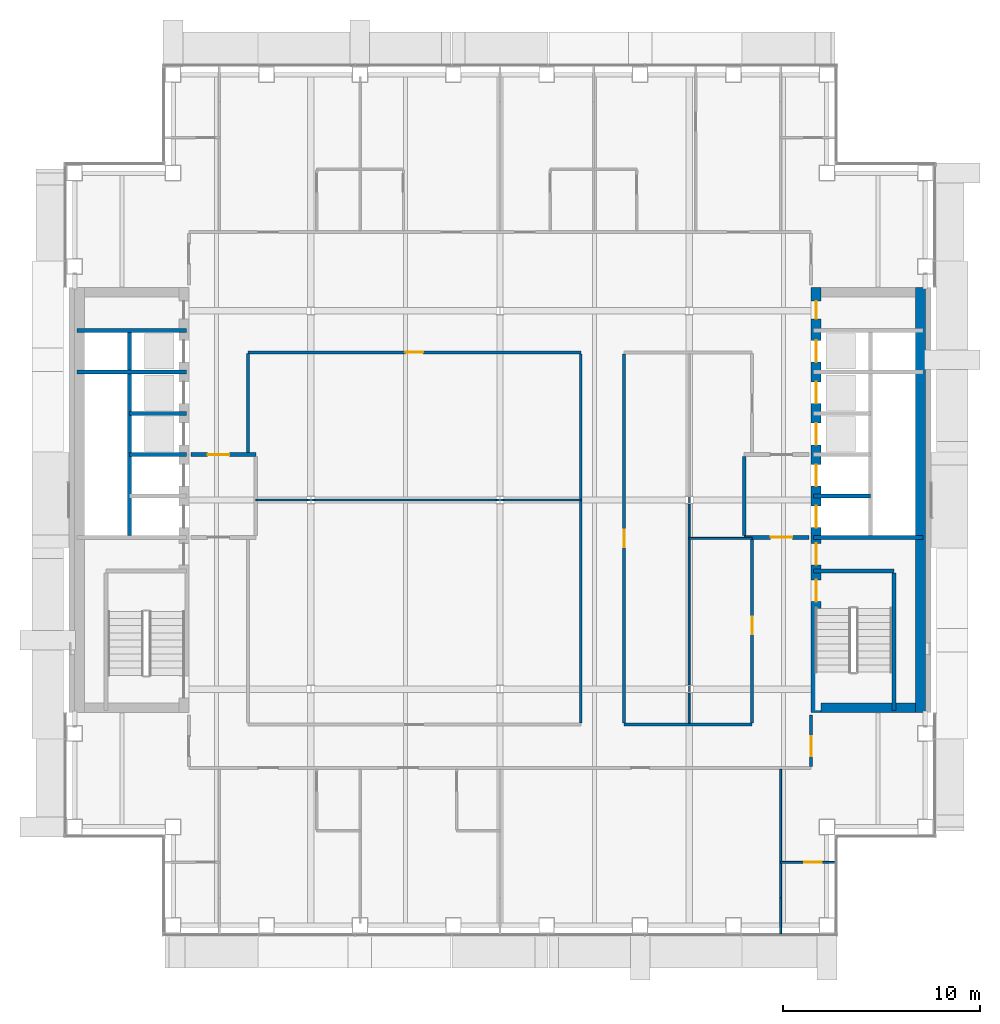
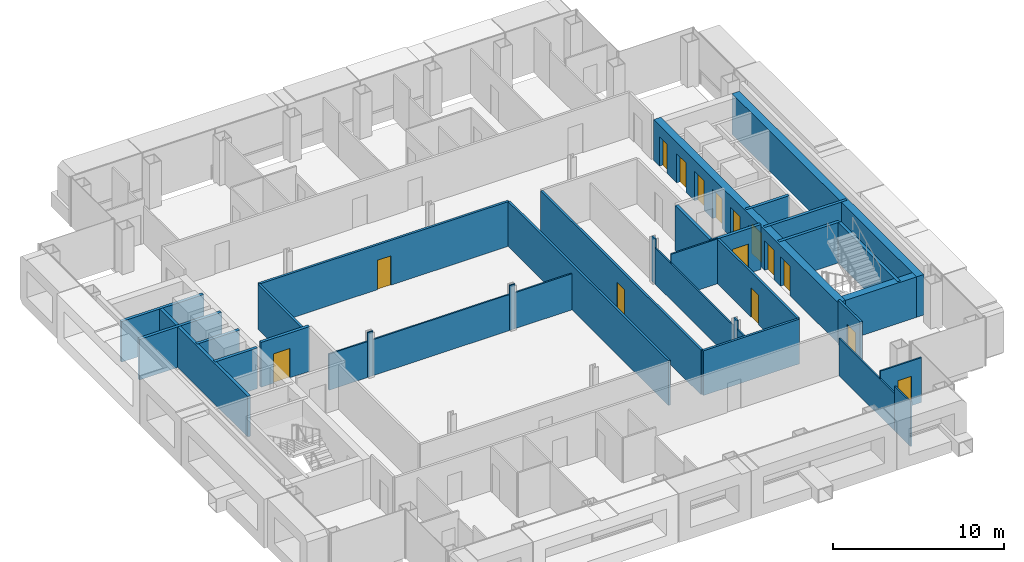
# One storey, part 13 of 21: 36 walls, 15 doors, 15 openings.
"""IFC4 building model written with IfcOpenShell, lengths in metres."""

from ifc_helpers import new_model, si_unit, direction, frame, frame_2d, origin, place, context, subcontext, project, spatial, rectangle, extrude, material, layer, layer_set, type_object, element, fill, save


model = new_model("IFC4")

# Units and contexts
model_context = context("Model", 3, precision=1e-05, world=origin(), true_north=direction((0.0, 1.0)))
body_context = subcontext(model_context, "Body", "Model", "MODEL_VIEW")
ifc_project = project(units=[si_unit("LENGTHUNIT", "METRE"), si_unit("AREAUNIT", "SQUARE_METRE"), si_unit("VOLUMEUNIT", "CUBIC_METRE"), si_unit("PLANEANGLEUNIT", "RADIAN"), si_unit("MASSUNIT", "GRAM", prefix="KILO")], contexts=[model_context])

# Site, building, storey
site_placement = place(None, origin())
site = spatial("IfcSite", under=ifc_project, at=site_placement, CompositionType="ELEMENT")
building_placement = place(site_placement, origin())
building = spatial("IfcBuilding", under=site, at=building_placement, Name="Cobrizo Arcos Hotel Tower", CompositionType="ELEMENT")
storey_placement = place(building_placement, frame((0.0, 0.0, 183.0)))
storey = spatial("IfcBuildingStorey", under=building, at=storey_placement, Name="L47", CompositionType="ELEMENT", Elevation=183.0)

# Wall
ifc_material_1 = material(Name="Gypsum board partition")
ifc_layer_1 = layer(ifc_material_1, 0.14990234375)
ifc_layer_set_1 = layer_set([ifc_layer_1], Name="Corridor wall EI 60 150")
wall_type_1 = type_object("IfcWallType", Name="Corridor wall EI 60 150", PredefinedType="PARTITIONING", material=ifc_layer_set_1)
wall_1_placement = place(storey_placement, frame((6.300048828125, -11.39990234375, 0.0), z_axis=(0.0, 0.0, 1.0), x_axis=(1.0, 0.0, 0.0)))
element("IfcWall", 1, at=wall_1_placement, inside=storey, type_object=wall_type_1, Name="Partition 007", PredefinedType="PARTITIONING", context=body_context, shape_type="SweptSolid", body=[
    extrude(rectangle(XDim=6.5, YDim=0.14990234375, at=frame_2d((3.25, 0.0))), origin(), (0.0, 0.0, 1.0), 3.199951171875),
])

# Wall, opening, door
wall_2_placement = place(storey_placement, frame((-12.800048828125, 7.5, 0.0), z_axis=(0.0, 0.0, 1.0), x_axis=(1.0, 0.0, 0.0)))
wall_2 = element("IfcWall", 2, at=wall_2_placement, inside=storey, type_object=wall_type_1, Name="Partition 030", PredefinedType="PARTITIONING", context=body_context, shape_type="SweptSolid", body=[
    extrude(rectangle(XDim=16.900146484375, YDim=0.14990234375, at=frame_2d((8.4501953125, 0.0))), origin(), (0.0, 0.0, 1.0), 3.199951171875),
])
opening_1_placement = place(wall_2_placement, frame((8.0, 0.0, 0.0)))
opening_1 = element("IfcOpeningElement", 3, at=opening_1_placement, cuts=wall_2, Name="Opening RD-06", PredefinedType="OPENING", context=body_context, shape_type="SweptSolid", body=[
    extrude(rectangle(XDim=0.89990234375, YDim=2.10009765625, at=frame_2d((0.449951171875, 1.050048828125))), frame((0.0, 0.0869140625, 0.0), z_axis=(0.0, -1.0, 0.0), x_axis=(1.0, 0.0, 0.0)), (0.0, 0.0, 1.0), 0.173828125),
])
ifc_material_2 = material(Name="Timber door leaf", Category="wood")
door_type_1 = type_object("IfcDoorType", Name="Room door FD30 900x2100", OperationType="SINGLE_SWING_LEFT", PredefinedType="DOOR", material=ifc_material_2)
door_1_placement = place(opening_1_placement, origin())
door_1 = element("IfcDoor", 4, at=door_1_placement, inside=storey, type_object=door_type_1, Name="Door RD-06", OperationType="SINGLE_SWING_RIGHT", OverallHeight=2.10009765625, OverallWidth=0.89990234375, PredefinedType="DOOR", context=body_context, shape_type="SweptSolid", body=[
    extrude(rectangle(XDim=0.89990234375, YDim=2.10009765625, at=frame_2d((0.449951171875, 1.050048828125))), frame((0.0, 0.02490234375, 0.0), z_axis=(0.0, -1.0, 0.0), x_axis=(1.0, 0.0, 0.0)), (0.0, 0.0, 1.0), 0.050048828125),
])
fill(opening_1, door_1)

# Walls
wall_3_placement = place(storey_placement, frame((-12.800048828125, 2.39990234375, 0.0), z_axis=(0.0, 0.0, 1.0), x_axis=(0.0, 1.0, 0.0)))
element("IfcWall", 5, at=wall_3_placement, inside=storey, type_object=wall_type_1, Name="Partition 050", PredefinedType="PARTITIONING", context=body_context, shape_type="SweptSolid", body=[
    extrude(rectangle(XDim=5.050048828125, YDim=0.14990234375, at=frame_2d((2.52490234375, 0.0))), origin(), (0.0, 0.0, 1.0), 3.199951171875),
])
wall_4_placement = place(storey_placement, frame((4.10009765625, -11.324951171875, 0.0), z_axis=(0.0, 0.0, 1.0), x_axis=(0.0, 1.0, 0.0)))
element("IfcWall", 6, at=wall_4_placement, inside=storey, type_object=wall_type_1, Name="Partition 064", PredefinedType="PARTITIONING", context=body_context, shape_type="SweptSolid", body=[
    extrude(rectangle(XDim=18.75, YDim=0.14990234375, at=frame_2d((9.375, 0.0))), origin(), (0.0, 0.0, 1.0), 3.199951171875),
])

# Wall, opening, door
wall_5_placement = place(storey_placement, frame((6.300048828125, -11.324951171875, 0.0), z_axis=(0.0, 0.0, 1.0), x_axis=(0.0, 1.0, 0.0)))
wall_5 = element("IfcWall", 7, at=wall_5_placement, inside=storey, type_object=wall_type_1, Name="Partition 068", PredefinedType="PARTITIONING", context=body_context, shape_type="SweptSolid", body=[
    extrude(rectangle(XDim=18.75, YDim=0.14990234375, at=frame_2d((9.375, 0.0))), origin(), (0.0, 0.0, 1.0), 3.199951171875),
])
opening_2_placement = place(wall_5_placement, frame((8.925048828125, 0.0, 0.0)))
opening_2 = element("IfcOpeningElement", 8, at=opening_2_placement, cuts=wall_5, Name="Opening RD-05", PredefinedType="OPENING", context=body_context, shape_type="SweptSolid", body=[
    extrude(rectangle(XDim=0.89990234375, YDim=2.10009765625, at=frame_2d((0.449951171875, 1.050048828125))), frame((0.0, 0.0869140625, 0.0), z_axis=(0.0, -1.0, 0.0), x_axis=(1.0, 0.0, 0.0)), (0.0, 0.0, 1.0), 0.173828125),
])
door_2_placement = place(opening_2_placement, origin())
door_2 = element("IfcDoor", 9, at=door_2_placement, inside=storey, type_object=door_type_1, Name="Door RD-05", OperationType="SINGLE_SWING_RIGHT", OverallHeight=2.10009765625, OverallWidth=0.89990234375, PredefinedType="DOOR", context=body_context, shape_type="SweptSolid", body=[
    extrude(rectangle(XDim=0.89990234375, YDim=2.10009765625, at=frame_2d((0.449951171875, 1.050048828125))), frame((0.0, 0.02490234375, 0.0), z_axis=(0.0, -1.0, 0.0), x_axis=(1.0, 0.0, 0.0)), (0.0, 0.0, 1.0), 0.050048828125),
])
fill(opening_2, door_2)

wall_6_placement = place(storey_placement, frame((12.800048828125, -11.324951171875, 0.0), z_axis=(0.0, 0.0, 1.0), x_axis=(0.0, 1.0, 0.0)))
wall_6 = element("IfcWall", 10, at=wall_6_placement, inside=storey, type_object=wall_type_1, Name="Partition 077", PredefinedType="PARTITIONING", context=body_context, shape_type="SweptSolid", body=[
    extrude(rectangle(XDim=9.324951171875, YDim=0.14990234375, at=frame_2d((4.66259765625, 0.0))), origin(), (0.0, 0.0, 1.0), 3.199951171875),
])
opening_3_placement = place(wall_6_placement, frame((4.5, 0.0, 0.0)))
opening_3 = element("IfcOpeningElement", 11, at=opening_3_placement, cuts=wall_6, Name="Opening ED-11", PredefinedType="OPENING", context=body_context, shape_type="SweptSolid", body=[
    extrude(rectangle(XDim=0.89990234375, YDim=2.10009765625, at=frame_2d((0.449951171875, 1.050048828125))), frame((0.0, 0.0869140625, 0.0), z_axis=(0.0, -1.0, 0.0), x_axis=(1.0, 0.0, 0.0)), (0.0, 0.0, 1.0), 0.173828125),
])
door_type_2 = type_object("IfcDoorType", Name="En-suite door 900x2100", OperationType="SINGLE_SWING_LEFT", PredefinedType="DOOR", material=ifc_material_2)
door_3_placement = place(opening_3_placement, origin())
door_3 = element("IfcDoor", 12, at=door_3_placement, inside=storey, type_object=door_type_2, Name="Door ED-11", OperationType="SINGLE_SWING_LEFT", OverallHeight=2.10009765625, OverallWidth=0.89990234375, PredefinedType="DOOR", context=body_context, shape_type="SweptSolid", body=[
    extrude(rectangle(XDim=0.89990234375, YDim=2.10009765625, at=frame_2d((0.449951171875, 1.050048828125))), frame((0.0, 0.02490234375, 0.0), z_axis=(0.0, -1.0, 0.0), x_axis=(1.0, 0.0, 0.0)), (0.0, 0.0, 1.0), 0.050048828125),
])
fill(opening_3, door_3)

wall_7_placement = place(storey_placement, frame((15.800048828125, -13.52490234375, 0.0), z_axis=(0.0, 0.0, 1.0), x_axis=(0.0, 1.0, 0.0)))
wall_7 = element("IfcWall", 13, at=wall_7_placement, inside=storey, type_object=wall_type_1, Name="Partition 083", PredefinedType="PARTITIONING", context=body_context, shape_type="SweptSolid", body=[
    extrude(rectangle(XDim=2.60498046875, YDim=0.14990234375, at=frame_2d((1.302490234375, 0.0))), origin(), (0.0, 0.0, 1.0), 3.199951171875),
])
opening_4_placement = place(wall_7_placement, frame((0.52490234375, 0.0, 0.0)))
opening_4 = element("IfcOpeningElement", 14, at=opening_4_placement, cuts=wall_7, Name="Opening GD-09", PredefinedType="OPENING", context=body_context, shape_type="SweptSolid", body=[
    extrude(rectangle(XDim=1.0, YDim=2.10009765625, at=frame_2d((0.5, 1.050048828125))), frame((0.0, 0.0869140625, 0.0), z_axis=(0.0, -1.0, 0.0), x_axis=(1.0, 0.0, 0.0)), (0.0, 0.0, 1.0), 0.173828125),
])
door_type_3 = type_object("IfcDoorType", Name="Guest room door FD30S 1000x2100", OperationType="SINGLE_SWING_LEFT", PredefinedType="DOOR", material=ifc_material_2)
door_4_placement = place(opening_4_placement, origin())
door_4 = element("IfcDoor", 15, at=door_4_placement, inside=storey, type_object=door_type_3, Name="Door GD-09", OperationType="SINGLE_SWING_LEFT", OverallHeight=2.10009765625, OverallWidth=1.0, PredefinedType="DOOR", context=body_context, shape_type="SweptSolid", body=[
    extrude(rectangle(XDim=1.0, YDim=2.10009765625, at=frame_2d((0.5, 1.050048828125))), frame((0.0, 0.02490234375, 0.0), z_axis=(0.0, -1.0, 0.0), x_axis=(1.0, 0.0, 0.0)), (0.0, 0.0, 1.0), 0.050048828125),
])
fill(opening_4, door_4)

ifc_layer_2 = layer(ifc_material_1, 0.10009765625)
ifc_layer_set_2 = layer_set([ifc_layer_2], Name="Partition EI 30 100")
wall_type_2 = type_object("IfcWallType", Name="Partition EI 30 100", PredefinedType="PARTITIONING", material=ifc_layer_set_2)
wall_8_placement = place(storey_placement, frame((14.25, -18.39990234375, 0.0), z_axis=(0.0, 0.0, 1.0), x_axis=(1.0, 0.0, 0.0)))
wall_8 = element("IfcWall", 16, at=wall_8_placement, inside=storey, type_object=wall_type_2, Name="Partition 002", PredefinedType="PARTITIONING", context=body_context, shape_type="SweptSolid", body=[
    extrude(rectangle(XDim=2.780029296875, YDim=0.10009765625, at=frame_2d((1.39013671875, 0.0))), origin(), (0.0, 0.0, 1.0), 3.199951171875),
])
opening_5_placement = place(wall_8_placement, frame((1.18896484375, 0.0, 0.0)))
opening_5 = element("IfcOpeningElement", 17, at=opening_5_placement, cuts=wall_8, Name="Opening ED-09", PredefinedType="OPENING", context=body_context, shape_type="SweptSolid", body=[
    extrude(rectangle(XDim=0.89990234375, YDim=2.10009765625, at=frame_2d((0.449951171875, 1.050048828125))), frame((0.0, 0.06201171875, 0.0), z_axis=(0.0, -1.0, 0.0), x_axis=(1.0, 0.0, 0.0)), (0.0, 0.0, 1.0), 0.1240234375),
])
door_5_placement = place(opening_5_placement, origin())
door_5 = element("IfcDoor", 18, at=door_5_placement, inside=storey, type_object=door_type_2, Name="Door ED-09", OperationType="SINGLE_SWING_RIGHT", OverallHeight=2.10009765625, OverallWidth=0.89990234375, PredefinedType="DOOR", context=body_context, shape_type="SweptSolid", body=[
    extrude(rectangle(XDim=0.89990234375, YDim=2.10009765625, at=frame_2d((0.449951171875, 1.050048828125))), frame((0.0, 0.02490234375, 0.0), z_axis=(0.0, -1.0, 0.0), x_axis=(1.0, 0.0, 0.0)), (0.0, 0.0, 1.0), 0.050048828125),
])
fill(opening_5, door_5)

# Walls
wall_9_placement = place(storey_placement, frame((9.60009765625, -1.949951171875, 0.0), z_axis=(0.0, 0.0, 1.0), x_axis=(1.0, 0.0, 0.0)))
element("IfcWall", 19, at=wall_9_placement, inside=storey, type_object=wall_type_2, Name="Partition 010", PredefinedType="PARTITIONING", context=body_context, shape_type="SweptSolid", body=[
    extrude(rectangle(XDim=3.199951171875, YDim=0.10009765625, at=frame_2d((1.60009765625, 0.0))), origin(), (0.0, 0.0, 1.0), 3.199951171875),
])
wall_10_placement = place(storey_placement, frame((-12.39990234375, 0.0, 0.0), z_axis=(0.0, 0.0, 1.0), x_axis=(1.0, 0.0, 0.0)))
element("IfcWall", 20, at=wall_10_placement, inside=storey, type_object=wall_type_2, Name="Partition 015", PredefinedType="PARTITIONING", context=body_context, shape_type="SweptSolid", body=[
    extrude(rectangle(XDim=2.61279296875, YDim=0.10009765625, at=frame_2d((1.306396484375, 0.0))), origin(), (0.0, 0.0, 1.0), 2.577880859375),
])
wall_11_placement = place(storey_placement, frame((-9.787109375, 0.0, 0.0), z_axis=(0.0, 0.0, 1.0), x_axis=(1.0, 0.0, 0.0)))
element("IfcWall", 21, at=wall_11_placement, inside=storey, type_object=wall_type_2, Name="Partition 016", PredefinedType="PARTITIONING", context=body_context, shape_type="SweptSolid", body=[
    extrude(rectangle(XDim=0.3740234375, YDim=0.10009765625, at=frame_2d((0.18701171875, 0.0))), origin(), (0.0, 0.0, 1.0), 3.199951171875),
])
wall_12_placement = place(storey_placement, frame((-9.4130859375, 0.0, 0.0), z_axis=(0.0, 0.0, 1.0), x_axis=(1.0, 0.0, 0.0)))
element("IfcWall", 22, at=wall_12_placement, inside=storey, type_object=wall_type_2, Name="Partition 017", PredefinedType="PARTITIONING", context=body_context, shape_type="SweptSolid", body=[
    extrude(rectangle(XDim=9.22607421875, YDim=0.10009765625, at=frame_2d((4.613037109375, 0.0))), origin(), (0.0, 0.0, 1.0), 2.577880859375),
])
wall_13_placement = place(storey_placement, frame((-0.18701171875, 0.0, 0.0), z_axis=(0.0, 0.0, 1.0), x_axis=(1.0, 0.0, 0.0)))
element("IfcWall", 23, at=wall_13_placement, inside=storey, type_object=wall_type_2, Name="Partition 018", PredefinedType="PARTITIONING", context=body_context, shape_type="SweptSolid", body=[
    extrude(rectangle(XDim=0.3740234375, YDim=0.10009765625, at=frame_2d((0.18701171875, 0.0))), origin(), (0.0, 0.0, 1.0), 3.199951171875),
])
wall_14_placement = place(storey_placement, frame((0.18701171875, 0.0, 0.0), z_axis=(0.0, 0.0, 1.0), x_axis=(1.0, 0.0, 0.0)))
element("IfcWall", 24, at=wall_14_placement, inside=storey, type_object=wall_type_2, Name="Partition 019", PredefinedType="PARTITIONING", context=body_context, shape_type="SweptSolid", body=[
    extrude(rectangle(XDim=3.9130859375, YDim=0.10009765625, at=frame_2d((1.95654296875, 0.0))), origin(), (0.0, 0.0, 1.0), 2.577880859375),
])
wall_15_placement = place(storey_placement, frame((9.60009765625, -11.324951171875, 0.0), z_axis=(0.0, 0.0, 1.0), x_axis=(0.0, 1.0, 0.0)))
element("IfcWall", 25, at=wall_15_placement, inside=storey, type_object=wall_type_2, Name="Partition 070", PredefinedType="PARTITIONING", context=body_context, shape_type="SweptSolid", body=[
    extrude(rectangle(XDim=1.537841796875, YDim=0.10009765625, at=frame_2d((0.76904296875, 0.0))), origin(), (0.0, 0.0, 1.0), 2.577880859375),
])
wall_16_placement = place(storey_placement, frame((9.60009765625, -9.787109375, 0.0), z_axis=(0.0, 0.0, 1.0), x_axis=(0.0, 1.0, 0.0)))
element("IfcWall", 26, at=wall_16_placement, inside=storey, type_object=wall_type_2, Name="Partition 071", PredefinedType="PARTITIONING", context=body_context, shape_type="SweptSolid", body=[
    extrude(rectangle(XDim=0.3740234375, YDim=0.10009765625, at=frame_2d((0.18701171875, 0.0))), origin(), (0.0, 0.0, 1.0), 3.199951171875),
])
wall_17_placement = place(storey_placement, frame((9.60009765625, -9.4130859375, 0.0), z_axis=(0.0, 0.0, 1.0), x_axis=(0.0, 1.0, 0.0)))
element("IfcWall", 27, at=wall_17_placement, inside=storey, type_object=wall_type_2, Name="Partition 072", PredefinedType="PARTITIONING", context=body_context, shape_type="SweptSolid", body=[
    extrude(rectangle(XDim=9.22607421875, YDim=0.10009765625, at=frame_2d((4.613037109375, 0.0))), origin(), (0.0, 0.0, 1.0), 2.577880859375),
])
wall_18_placement = place(storey_placement, frame((9.60009765625, -0.18701171875, 0.0), z_axis=(0.0, 0.0, 1.0), x_axis=(0.0, 1.0, 0.0)))
element("IfcWall", 28, at=wall_18_placement, inside=storey, type_object=wall_type_2, Name="Partition 073", PredefinedType="PARTITIONING", context=body_context, shape_type="SweptSolid", body=[
    extrude(rectangle(XDim=0.3740234375, YDim=0.10009765625, at=frame_2d((0.18701171875, 0.0))), origin(), (0.0, 0.0, 1.0), 3.199951171875),
])
wall_19_placement = place(storey_placement, frame((14.25, -22.030029296875, 0.0), z_axis=(0.0, 0.0, 1.0), x_axis=(0.0, 1.0, 0.0)))
element("IfcWall", 29, at=wall_19_placement, inside=storey, type_object=wall_type_2, Name="Partition 079", PredefinedType="PARTITIONING", context=body_context, shape_type="SweptSolid", body=[
    extrude(rectangle(XDim=1.83056640625, YDim=0.10009765625, at=frame_2d((0.915283203125, 0.0))), origin(), (0.0, 0.0, 1.0), 3.199951171875),
])
wall_20_placement = place(storey_placement, frame((14.25, -20.199951171875, 0.0), z_axis=(0.0, 0.0, 1.0), x_axis=(0.0, 1.0, 0.0)))
element("IfcWall", 30, at=wall_20_placement, inside=storey, type_object=wall_type_2, Name="Partition 080", PredefinedType="PARTITIONING", context=body_context, shape_type="SweptSolid", body=[
    extrude(rectangle(XDim=6.52490234375, YDim=0.10009765625, at=frame_2d((3.262451171875, 0.0))), origin(), (0.0, 0.0, 1.0), 2.6669921875),
])

# Wall, openings, doors
ifc_material_3 = material(Name="Concrete f'c 50 MPa", Category="concrete")
ifc_layer_3 = layer(ifc_material_3, 0.5)
ifc_layer_set_3 = layer_set([ifc_layer_3], Name="RC core wall 500 f'c 50")
wall_type_3 = type_object("IfcWallType", Name="RC core wall 500 f'c 50", PredefinedType="SHEAR", material=ifc_layer_set_3)
wall_21_placement = place(storey_placement, frame((16.050048828125, -10.800048828125, 0.0), z_axis=(0.0, 0.0, 1.0), x_axis=(0.0, 1.0, 0.0)))
wall_21 = element("IfcWall", 31, at=wall_21_placement, inside=storey, type_object=wall_type_3, Name="Core wall CW3, east core, inner face, L47", PredefinedType="SHEAR", context=body_context, shape_type="SweptSolid", body=[
    extrude(rectangle(XDim=21.60009765625, YDim=0.5, at=frame_2d((10.800048828125, 0.0))), origin(), (0.0, 0.0, 1.0), 2.89990234375),
])
opening_6_placement = place(wall_21_placement, frame((9.39990234375, 0.0, 0.0)))
opening_6 = element("IfcOpeningElement", 32, at=opening_6_placement, cuts=wall_21, Name="Opening LD-06", PredefinedType="OPENING", context=body_context, shape_type="SweptSolid", body=[
    extrude(rectangle(XDim=1.10009765625, YDim=2.10009765625, at=frame_2d((0.550048828125, 1.050048828125))), frame((0.0, 0.261962890625, 0.0), z_axis=(0.0, -1.0, 0.0), x_axis=(1.0, 0.0, 0.0)), (0.0, 0.0, 1.0), 0.52392578125),
])
opening_7_placement = place(wall_21_placement, frame((11.5, 0.0, 0.0)))
opening_7 = element("IfcOpeningElement", 33, at=opening_7_placement, cuts=wall_21, Name="Opening LD-07", PredefinedType="OPENING", context=body_context, shape_type="SweptSolid", body=[
    extrude(rectangle(XDim=1.10009765625, YDim=2.10009765625, at=frame_2d((0.550048828125, 1.050048828125))), frame((0.0, 0.261962890625, 0.0), z_axis=(0.0, -1.0, 0.0), x_axis=(1.0, 0.0, 0.0)), (0.0, 0.0, 1.0), 0.52392578125),
])
opening_8_placement = place(wall_21_placement, frame((13.60009765625, 0.0, 0.0)))
opening_8 = element("IfcOpeningElement", 34, at=opening_8_placement, cuts=wall_21, Name="Opening LD-08", PredefinedType="OPENING", context=body_context, shape_type="SweptSolid", body=[
    extrude(rectangle(XDim=1.10009765625, YDim=2.10009765625, at=frame_2d((0.550048828125, 1.050048828125))), frame((0.0, 0.261962890625, 0.0), z_axis=(0.0, -1.0, 0.0), x_axis=(1.0, 0.0, 0.0)), (0.0, 0.0, 1.0), 0.52392578125),
])
opening_9_placement = place(wall_21_placement, frame((15.699951171875, 0.0, 0.0)))
opening_9 = element("IfcOpeningElement", 35, at=opening_9_placement, cuts=wall_21, Name="Opening LD-09", PredefinedType="OPENING", context=body_context, shape_type="SweptSolid", body=[
    extrude(rectangle(XDim=1.10009765625, YDim=2.10009765625, at=frame_2d((0.550048828125, 1.050048828125))), frame((0.0, 0.261962890625, 0.0), z_axis=(0.0, -1.0, 0.0), x_axis=(1.0, 0.0, 0.0)), (0.0, 0.0, 1.0), 0.52392578125),
])
opening_10_placement = place(wall_21_placement, frame((17.800048828125, 0.0, 0.0)))
opening_10 = element("IfcOpeningElement", 36, at=opening_10_placement, cuts=wall_21, Name="Opening LD-10", PredefinedType="OPENING", context=body_context, shape_type="SweptSolid", body=[
    extrude(rectangle(XDim=1.10009765625, YDim=2.10009765625, at=frame_2d((0.550048828125, 1.050048828125))), frame((0.0, 0.261962890625, 0.0), z_axis=(0.0, -1.0, 0.0), x_axis=(1.0, 0.0, 0.0)), (0.0, 0.0, 1.0), 0.52392578125),
])
opening_11_placement = place(wall_21_placement, frame((5.64208984375, 0.0, 0.0)))
opening_11 = element("IfcOpeningElement", 37, at=opening_11_placement, cuts=wall_21, Name="Opening SD-02", PredefinedType="OPENING", context=body_context, shape_type="SweptSolid", body=[
    extrude(rectangle(XDim=1.10009765625, YDim=2.10009765625, at=frame_2d((0.550048828125, 1.050048828125))), frame((0.0, 0.261962890625, 0.0), z_axis=(0.0, -1.0, 0.0), x_axis=(1.0, 0.0, 0.0)), (0.0, 0.0, 1.0), 0.52392578125),
])
opening_12_placement = place(wall_21_placement, frame((7.5, 0.0, 0.0)))
opening_12 = element("IfcOpeningElement", 38, at=opening_12_placement, cuts=wall_21, Name="Opening FD-04", PredefinedType="OPENING", context=body_context, shape_type="SweptSolid", body=[
    extrude(rectangle(XDim=1.10009765625, YDim=2.10009765625, at=frame_2d((0.550048828125, 1.050048828125))), frame((0.0, 0.261962890625, 0.0), z_axis=(0.0, -1.0, 0.0), x_axis=(1.0, 0.0, 0.0)), (0.0, 0.0, 1.0), 0.52392578125),
])
opening_13_placement = place(wall_21_placement, frame((20.0, 0.0, 0.0)))
opening_13 = element("IfcOpeningElement", 39, at=opening_13_placement, cuts=wall_21, Name="Opening RD-02", PredefinedType="OPENING", context=body_context, shape_type="SweptSolid", body=[
    extrude(rectangle(XDim=0.89990234375, YDim=2.10009765625, at=frame_2d((0.449951171875, 1.050048828125))), frame((0.0, 0.261962890625, 0.0), z_axis=(0.0, -1.0, 0.0), x_axis=(1.0, 0.0, 0.0)), (0.0, 0.0, 1.0), 0.52392578125),
])
ifc_material_4 = material(Name="Steel door leaf", Category="steel")
door_type_4 = type_object("IfcDoorType", Name="Fire door FD60 1100x2100", OperationType="SINGLE_SWING_LEFT", PredefinedType="DOOR", material=ifc_material_4)
door_6_placement = place(opening_12_placement, origin())
door_6 = element("IfcDoor", 40, at=door_6_placement, inside=storey, type_object=door_type_4, Name="Door FD-04", OperationType="SINGLE_SWING_RIGHT", OverallHeight=2.10009765625, OverallWidth=1.10009765625, PredefinedType="DOOR", context=body_context, shape_type="SweptSolid", body=[
    extrude(rectangle(XDim=1.10009765625, YDim=2.10009765625, at=frame_2d((0.550048828125, 1.050048828125))), frame((0.0, 0.02490234375, 0.0), z_axis=(0.0, -1.0, 0.0), x_axis=(1.0, 0.0, 0.0)), (0.0, 0.0, 1.0), 0.050048828125),
])
fill(opening_12, door_6)
door_type_5 = type_object("IfcDoorType", Name="Lift landing door 1100x2100", OperationType="SLIDING_TO_LEFT", PredefinedType="DOOR", material=ifc_material_4)
door_7_placement = place(opening_6_placement, origin())
door_7 = element("IfcDoor", 41, at=door_7_placement, inside=storey, type_object=door_type_5, Name="Lift landing door LD-06", OperationType="SLIDING_TO_LEFT", OverallHeight=2.10009765625, OverallWidth=1.10009765625, PredefinedType="DOOR", context=body_context, shape_type="SweptSolid", body=[
    extrude(rectangle(XDim=1.10009765625, YDim=2.10009765625, at=frame_2d((0.550048828125, 1.050048828125))), frame((0.0, 0.02490234375, 0.0), z_axis=(0.0, -1.0, 0.0), x_axis=(1.0, 0.0, 0.0)), (0.0, 0.0, 1.0), 0.050048828125),
])
fill(opening_6, door_7)
door_8_placement = place(opening_7_placement, origin())
door_8 = element("IfcDoor", 42, at=door_8_placement, inside=storey, type_object=door_type_5, Name="Lift landing door LD-07", OperationType="SLIDING_TO_LEFT", OverallHeight=2.10009765625, OverallWidth=1.10009765625, PredefinedType="DOOR", context=body_context, shape_type="SweptSolid", body=[
    extrude(rectangle(XDim=1.10009765625, YDim=2.10009765625, at=frame_2d((0.550048828125, 1.050048828125))), frame((0.0, 0.02490234375, 0.0), z_axis=(0.0, -1.0, 0.0), x_axis=(1.0, 0.0, 0.0)), (0.0, 0.0, 1.0), 0.050048828125),
])
fill(opening_7, door_8)
door_9_placement = place(opening_8_placement, origin())
door_9 = element("IfcDoor", 43, at=door_9_placement, inside=storey, type_object=door_type_5, Name="Lift landing door LD-08", OperationType="SLIDING_TO_LEFT", OverallHeight=2.10009765625, OverallWidth=1.10009765625, PredefinedType="DOOR", context=body_context, shape_type="SweptSolid", body=[
    extrude(rectangle(XDim=1.10009765625, YDim=2.10009765625, at=frame_2d((0.550048828125, 1.050048828125))), frame((0.0, 0.02490234375, 0.0), z_axis=(0.0, -1.0, 0.0), x_axis=(1.0, 0.0, 0.0)), (0.0, 0.0, 1.0), 0.050048828125),
])
fill(opening_8, door_9)
door_10_placement = place(opening_9_placement, origin())
door_10 = element("IfcDoor", 44, at=door_10_placement, inside=storey, type_object=door_type_5, Name="Lift landing door LD-09", OperationType="SLIDING_TO_LEFT", OverallHeight=2.10009765625, OverallWidth=1.10009765625, PredefinedType="DOOR", context=body_context, shape_type="SweptSolid", body=[
    extrude(rectangle(XDim=1.10009765625, YDim=2.10009765625, at=frame_2d((0.550048828125, 1.050048828125))), frame((0.0, 0.02490234375, 0.0), z_axis=(0.0, -1.0, 0.0), x_axis=(1.0, 0.0, 0.0)), (0.0, 0.0, 1.0), 0.050048828125),
])
fill(opening_9, door_10)
door_11_placement = place(opening_10_placement, origin())
door_11 = element("IfcDoor", 45, at=door_11_placement, inside=storey, type_object=door_type_5, Name="Lift landing door LD-10", OperationType="SLIDING_TO_LEFT", OverallHeight=2.10009765625, OverallWidth=1.10009765625, PredefinedType="DOOR", context=body_context, shape_type="SweptSolid", body=[
    extrude(rectangle(XDim=1.10009765625, YDim=2.10009765625, at=frame_2d((0.550048828125, 1.050048828125))), frame((0.0, 0.02490234375, 0.0), z_axis=(0.0, -1.0, 0.0), x_axis=(1.0, 0.0, 0.0)), (0.0, 0.0, 1.0), 0.050048828125),
])
fill(opening_10, door_11)
door_12_placement = place(opening_13_placement, origin())
door_12 = element("IfcDoor", 46, at=door_12_placement, inside=storey, type_object=door_type_1, Name="Door RD-02", OperationType="SINGLE_SWING_LEFT", OverallHeight=2.10009765625, OverallWidth=0.89990234375, PredefinedType="DOOR", context=body_context, shape_type="SweptSolid", body=[
    extrude(rectangle(XDim=0.89990234375, YDim=2.10009765625, at=frame_2d((0.449951171875, 1.050048828125))), frame((0.0, 0.02490234375, 0.0), z_axis=(0.0, -1.0, 0.0), x_axis=(1.0, 0.0, 0.0)), (0.0, 0.0, 1.0), 0.050048828125),
])
fill(opening_13, door_12)
door_type_6 = type_object("IfcDoorType", Name="Stair door FD60S 1100x2100", OperationType="SINGLE_SWING_LEFT", PredefinedType="DOOR", material=ifc_material_4)
door_13_placement = place(opening_11_placement, origin())
door_13 = element("IfcDoor", 47, at=door_13_placement, inside=storey, type_object=door_type_6, Name="Door SD-02", OperationType="SINGLE_SWING_RIGHT", OverallHeight=2.10009765625, OverallWidth=1.10009765625, PredefinedType="DOOR", context=body_context, shape_type="SweptSolid", body=[
    extrude(rectangle(XDim=1.10009765625, YDim=2.10009765625, at=frame_2d((0.550048828125, 1.050048828125))), frame((0.0, 0.02490234375, 0.0), z_axis=(0.0, -1.0, 0.0), x_axis=(1.0, 0.0, 0.0)), (0.0, 0.0, 1.0), 0.050048828125),
])
fill(opening_11, door_13)

# Walls
wall_22_placement = place(storey_placement, frame((21.35009765625, -10.800048828125, 0.0), z_axis=(0.0, 0.0, 1.0), x_axis=(0.0, 1.0, 0.0)))
element("IfcWall", 48, at=wall_22_placement, inside=storey, type_object=wall_type_3, Name="Core wall CW3, east core, outer face, L47", PredefinedType="SHEAR", context=body_context, shape_type="SweptSolid", body=[
    extrude(rectangle(XDim=21.60009765625, YDim=0.5, at=frame_2d((10.800048828125, 0.0))), origin(), (0.0, 0.0, 1.0), 2.89990234375),
])
wall_23_placement = place(storey_placement, frame((16.300048828125, -10.550048828125, 0.0), z_axis=(0.0, 0.0, 1.0), x_axis=(1.0, 0.0, 0.0)))
element("IfcWall", 49, at=wall_23_placement, inside=storey, type_object=wall_type_3, Name="Core wall CW3, east core, south end, L47", PredefinedType="SHEAR", context=body_context, shape_type="SweptSolid", body=[
    extrude(rectangle(XDim=4.800048828125, YDim=0.5, at=frame_2d((2.39990234375, 0.0))), origin(), (0.0, 0.0, 1.0), 2.89990234375),
])

# Wall, opening, door
ifc_layer_4 = layer(ifc_material_1, 0.199951171875)
ifc_layer_set_4 = layer_set([ifc_layer_4], Name="Shaft wall EI 120 200")
wall_type_4 = type_object("IfcWallType", Name="Shaft wall EI 120 200", PredefinedType="PARTITIONING", material=ifc_layer_set_4)
wall_24_placement = place(storey_placement, frame((12.39990234375, -1.89990234375, 0.0), z_axis=(0.0, 0.0, 1.0), x_axis=(1.0, 0.0, 0.0)))
wall_24 = element("IfcWall", 50, at=wall_24_placement, inside=storey, type_object=wall_type_4, Name="Partition 013", PredefinedType="PARTITIONING", context=body_context, shape_type="SweptSolid", body=[
    extrude(rectangle(XDim=3.280029296875, YDim=0.199951171875, at=frame_2d((1.64013671875, 0.0))), origin(), (0.0, 0.0, 1.0), 3.199951171875),
])
opening_14_placement = place(wall_24_placement, frame((1.340087890625, 0.0, 0.0)))
opening_14 = element("IfcOpeningElement", 51, at=opening_14_placement, cuts=wall_24, Name="Opening FD-06", PredefinedType="OPENING", context=body_context, shape_type="SweptSolid", body=[
    extrude(rectangle(XDim=1.10009765625, YDim=2.10009765625, at=frame_2d((0.550048828125, 1.050048828125))), frame((0.0, 0.112060546875, 0.0), z_axis=(0.0, -1.0, 0.0), x_axis=(1.0, 0.0, 0.0)), (0.0, 0.0, 1.0), 0.223876953125),
])
door_14_placement = place(opening_14_placement, origin())
door_14 = element("IfcDoor", 52, at=door_14_placement, inside=storey, type_object=door_type_4, Name="Door FD-06", OperationType="SINGLE_SWING_RIGHT", OverallHeight=2.10009765625, OverallWidth=1.10009765625, PredefinedType="DOOR", context=body_context, shape_type="SweptSolid", body=[
    extrude(rectangle(XDim=1.10009765625, YDim=2.10009765625, at=frame_2d((0.550048828125, 1.050048828125))), frame((0.0, 0.02490234375, 0.0), z_axis=(0.0, -1.0, 0.0), x_axis=(1.0, 0.0, 0.0)), (0.0, 0.0, 1.0), 0.050048828125),
])
fill(opening_14, door_14)

# Walls
wall_25_placement = place(storey_placement, frame((15.919921875, -1.89990234375, 0.0), z_axis=(0.0, 0.0, 1.0), x_axis=(1.0, 0.0, 0.0)))
element("IfcWall", 53, at=wall_25_placement, inside=storey, type_object=wall_type_4, Name="Partition 014", PredefinedType="PARTITIONING", context=body_context, shape_type="SweptSolid", body=[
    extrude(rectangle(XDim=5.56005859375, YDim=0.199951171875, at=frame_2d((2.780029296875, 0.0))), origin(), (0.0, 0.0, 1.0), 2.89990234375),
])
for number, where, z_axis, x_axis, name in (
    (54, (15.919921875, 0.199951171875, 0.0), (0.0, 0.0, 1.0), (1.0, 0.0, 0.0), "Partition 021"),
    (55, (-18.800048828125, 2.300048828125, 0.0), (0.0, 0.0, 1.0), (1.0, 0.0, 0.0), "Partition 022"),
):
    element("IfcWall", number, at=place(storey_placement, frame(where, z_axis=z_axis, x_axis=x_axis)), inside=storey, type_object=wall_type_4, Name=name, PredefinedType="PARTITIONING", context=body_context, shape_type="SweptSolid", body=[
        extrude(rectangle(XDim=2.880126953125, YDim=0.199951171875, at=frame_2d((1.43994140625, 0.0))), origin(), (0.0, 0.0, 1.0), 2.89990234375),
    ])

# Wall, opening, door
wall_26_placement = place(storey_placement, frame((-15.679931640625, 2.300048828125, 0.0), z_axis=(0.0, 0.0, 1.0), x_axis=(1.0, 0.0, 0.0)))
wall_26 = element("IfcWall", 56, at=wall_26_placement, inside=storey, type_object=wall_type_4, Name="Partition 023", PredefinedType="PARTITIONING", context=body_context, shape_type="SweptSolid", body=[
    extrude(rectangle(XDim=3.280029296875, YDim=0.199951171875, at=frame_2d((1.64013671875, 0.0))), origin(), (0.0, 0.0, 1.0), 3.199951171875),
])
opening_15_placement = place(wall_26_placement, frame((0.840087890625, 0.0, 0.0)))
opening_15 = element("IfcOpeningElement", 57, at=opening_15_placement, cuts=wall_26, Name="Opening FD-02", PredefinedType="OPENING", context=body_context, shape_type="SweptSolid", body=[
    extrude(rectangle(XDim=1.10009765625, YDim=2.10009765625, at=frame_2d((0.550048828125, 1.050048828125))), frame((0.0, 0.112060546875, 0.0), z_axis=(0.0, -1.0, 0.0), x_axis=(1.0, 0.0, 0.0)), (0.0, 0.0, 1.0), 0.223876953125),
])
door_15_placement = place(opening_15_placement, origin())
door_15 = element("IfcDoor", 58, at=door_15_placement, inside=storey, type_object=door_type_4, Name="Door FD-02", OperationType="SINGLE_SWING_LEFT", OverallHeight=2.10009765625, OverallWidth=1.10009765625, PredefinedType="DOOR", context=body_context, shape_type="SweptSolid", body=[
    extrude(rectangle(XDim=1.10009765625, YDim=2.10009765625, at=frame_2d((0.550048828125, 1.050048828125))), frame((0.0, 0.02490234375, 0.0), z_axis=(0.0, -1.0, 0.0), x_axis=(1.0, 0.0, 0.0)), (0.0, 0.0, 1.0), 0.050048828125),
])
fill(opening_15, door_15)

# Walls
wall_27_placement = place(storey_placement, frame((-18.800048828125, 4.39990234375, 0.0), z_axis=(0.0, 0.0, 1.0), x_axis=(1.0, 0.0, 0.0)))
element("IfcWall", 59, at=wall_27_placement, inside=storey, type_object=wall_type_4, Name="Partition 026", PredefinedType="PARTITIONING", context=body_context, shape_type="SweptSolid", body=[
    extrude(rectangle(XDim=2.880126953125, YDim=0.199951171875, at=frame_2d((1.43994140625, 0.0))), origin(), (0.0, 0.0, 1.0), 2.89990234375),
])
for number, where, z_axis, x_axis, name in (
    (60, (-21.47998046875, 6.5, 0.0), (0.0, 0.0, 1.0), (1.0, 0.0, 0.0), "Partition 028"),
    (61, (-21.47998046875, 8.60009765625, 0.0), (0.0, 0.0, 1.0), (1.0, 0.0, 0.0), "Partition 032"),
):
    element("IfcWall", number, at=place(storey_placement, frame(where, z_axis=z_axis, x_axis=x_axis)), inside=storey, type_object=wall_type_4, Name=name, PredefinedType="PARTITIONING", context=body_context, shape_type="SweptSolid", body=[
        extrude(rectangle(XDim=5.56005859375, YDim=0.199951171875, at=frame_2d((2.780029296875, 0.0))), origin(), (0.0, 0.0, 1.0), 2.89990234375),
    ])
wall_28_placement = place(storey_placement, frame((-18.800048828125, -1.800048828125, 0.0), z_axis=(0.0, 0.0, 1.0), x_axis=(0.0, 1.0, 0.0)))
element("IfcWall", 62, at=wall_28_placement, inside=storey, type_object=wall_type_4, Name="Partition 041", PredefinedType="PARTITIONING", context=body_context, shape_type="SweptSolid", body=[
    extrude(rectangle(XDim=8.199951171875, YDim=0.199951171875, at=frame_2d((4.10009765625, 0.0))), origin(), (0.0, 0.0, 1.0), 2.89990234375),
])
wall_29_placement = place(storey_placement, frame((-18.800048828125, 6.60009765625, 0.0), z_axis=(0.0, 0.0, 1.0), x_axis=(0.0, 1.0, 0.0)))
element("IfcWall", 63, at=wall_29_placement, inside=storey, type_object=wall_type_4, Name="Partition 042", PredefinedType="PARTITIONING", context=body_context, shape_type="SweptSolid", body=[
    extrude(rectangle(XDim=1.89990234375, YDim=0.199951171875, at=frame_2d((0.949951171875, 0.0))), origin(), (0.0, 0.0, 1.0), 2.89990234375),
])
wall_30_placement = place(storey_placement, frame((12.39990234375, -1.800048828125, 0.0), z_axis=(0.0, 0.0, 1.0), x_axis=(0.0, 1.0, 0.0)))
element("IfcWall", 64, at=wall_30_placement, inside=storey, type_object=wall_type_4, Name="Partition 076", PredefinedType="PARTITIONING", context=body_context, shape_type="SweptSolid", body=[
    extrude(rectangle(XDim=4.0, YDim=0.199951171875, at=frame_2d((2.0, 0.0))), origin(), (0.0, 0.0, 1.0), 3.199951171875),
])
ifc_material_5 = material(Name="Concrete f'c 40 MPa", Category="concrete")
ifc_layer_5 = layer(ifc_material_5, 0.199951171875)
ifc_layer_set_5 = layer_set([ifc_layer_5], Name="Stair shaft wall 200")
wall_type_5 = type_object("IfcWallType", Name="Stair shaft wall 200", PredefinedType="SHEAR", material=ifc_layer_set_5)
wall_31_placement = place(storey_placement, frame((15.919921875, -3.60009765625, 0.0), z_axis=(0.0, 0.0, 1.0), x_axis=(1.0, 0.0, 0.0)))
element("IfcWall", 65, at=wall_31_placement, inside=storey, type_object=wall_type_5, Name="Stair shaft wall E", PredefinedType="SHEAR", context=body_context, shape_type="SweptSolid", body=[
    extrude(rectangle(XDim=4.080078125, YDim=0.199951171875, at=frame_2d((2.0400390625, 0.0))), origin(), (0.0, 0.0, 1.0), 2.89990234375),
])
wall_32_placement = place(storey_placement, frame((20.0, -10.679931640625, 0.0), z_axis=(0.0, 0.0, 1.0), x_axis=(0.0, 1.0, 0.0)))
element("IfcWall", 66, at=wall_32_placement, inside=storey, type_object=wall_type_5, Name="Stair shaft wall E", PredefinedType="SHEAR", context=body_context, shape_type="SweptSolid", body=[
    extrude(rectangle(XDim=6.97998046875, YDim=0.199951171875, at=frame_2d((3.489990234375, 0.0))), origin(), (0.0, 0.0, 1.0), 2.89990234375),
])

save(model, "model.ifc")
